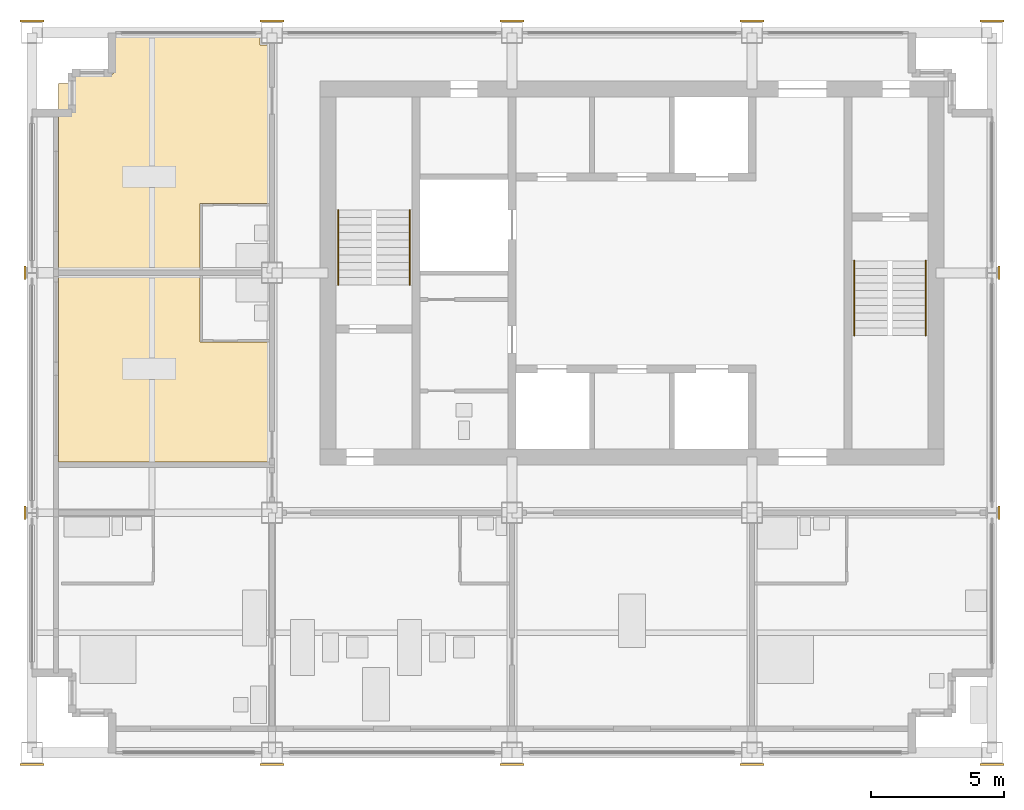
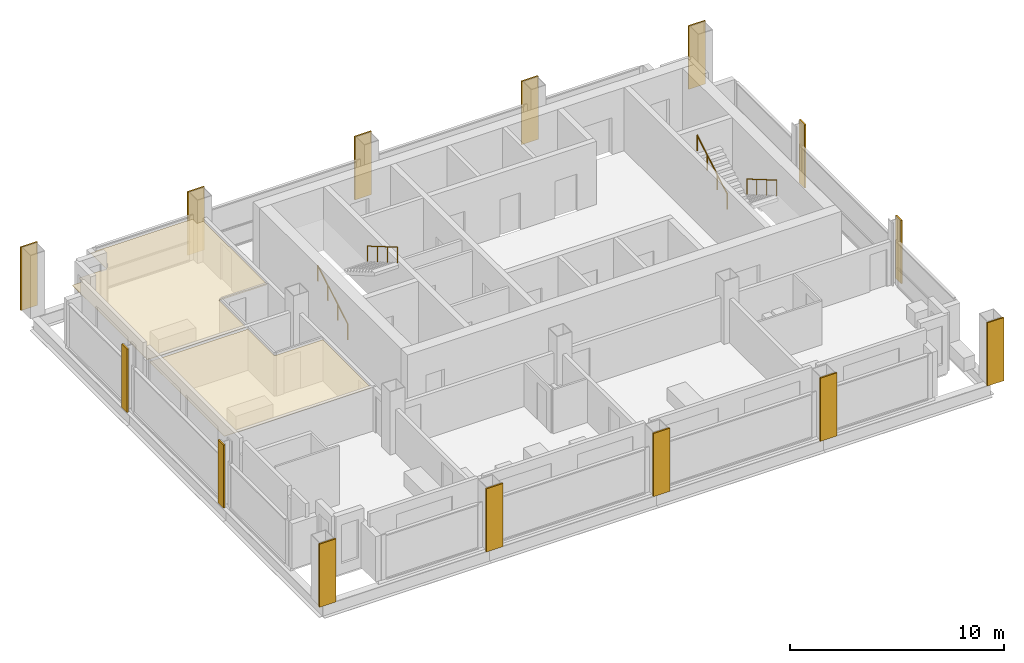
# One storey, part 9 of 11: 16 coverings, 4 railings.
"""IFC4 building model written with IfcOpenShell, lengths in metres."""

from ifc_helpers import new_model, si_unit, direction, frame, origin, origin_2d, place, context, subcontext, project, spatial, polyline, rectangle, circle, outline, extrude, material, layer, layer_set, type_object, element, save


model = new_model("IFC4")

# Units and contexts
model_context = context("Model", 3, precision=1e-05, world=origin(), true_north=direction((0.0, 1.0)))
body_context = subcontext(model_context, "Body", "Model", "MODEL_VIEW")
ifc_project = project(units=[si_unit("LENGTHUNIT", "METRE"), si_unit("AREAUNIT", "SQUARE_METRE"), si_unit("VOLUMEUNIT", "CUBIC_METRE"), si_unit("PLANEANGLEUNIT", "RADIAN"), si_unit("MASSUNIT", "GRAM", prefix="KILO")], contexts=[model_context])

# Site, building, storey
site_placement = place(None, origin())
site = spatial("IfcSite", under=ifc_project, at=site_placement, CompositionType="ELEMENT")
building_placement = place(site_placement, origin())
building = spatial("IfcBuilding", under=site, at=building_placement, Name="Loomwork Tower", CompositionType="ELEMENT")
storey_placement = place(building_placement, frame((0.0, 0.0, 266.199951171875)))
storey = spatial("IfcBuildingStorey", under=building, at=storey_placement, Name="L73", CompositionType="ELEMENT", Elevation=266.199951171875)

# Railings
ifc_material_1 = material(Name="Stainless steel handrail", Category="steel")
railing_type = type_object("IfcRailingType", Name="Handrail 900", PredefinedType="HANDRAIL", material=ifc_material_1)
railing_1_placement = place(storey_placement, frame((11.485107421875, 17.550048828125, 0.16357421875)))
element("IfcRailing", 1, at=railing_1_placement, inside=storey, type_object=railing_type, Name="Stair A handrail flight 1 L73", PredefinedType="HANDRAIL", context=body_context, shape_type="SweptSolid", body=[
    extrude(circle(Radius=0.02392578125, at=origin_2d()), frame((0.0, 0.0, 0.8759765625), z_axis=(0.0, 0.863360870873, 0.504586966384), x_axis=(-1.0, 0.0, 0.0)), (0.0, 0.0, 1.0), 3.2431640625),
    extrude(circle(Radius=0.02099609375, at=origin_2d()), origin(), (0.0, 0.0, 1.0), 0.851806640625),
    extrude(circle(Radius=0.02099609375, at=origin_2d()), frame((0.0, 0.933349609375, 0.54541015625)), (0.0, 0.0, 1.0), 0.851806640625),
    extrude(circle(Radius=0.02099609375, at=origin_2d()), frame((0.0, 1.86669921875, 1.091064453125)), (0.0, 0.0, 1.0), 0.851806640625),
    extrude(circle(Radius=0.02099609375, at=origin_2d()), frame((0.0, 2.800048828125, 1.636474609375)), (0.0, 0.0, 1.0), 0.851806640625),
])
for number, where, name in (
    (2, (14.1650390625, 20.35009765625, 1.963623046875), "Stair A handrail flight 2 L73"),
    (3, (33.514892578125, 18.449951171875, 0.16357421875), "Stair B handrail flight 1 L73"),
):
    element("IfcRailing", number, at=place(storey_placement, frame(where)), inside=storey, type_object=railing_type, Name=name, PredefinedType="HANDRAIL", context=body_context, shape_type="SweptSolid", body=[
        extrude(circle(Radius=0.02392578125, at=origin_2d()), frame((0.0, 0.0, 0.8759765625), z_axis=(0.0, -0.863360870873, 0.504586966384), x_axis=(1.0, 0.0, 0.0)), (0.0, 0.0, 1.0), 3.2431640625),
        extrude(circle(Radius=0.02099609375, at=origin_2d()), origin(), (0.0, 0.0, 1.0), 0.851806640625),
        extrude(circle(Radius=0.02099609375, at=origin_2d()), frame((0.0, -0.933349609375, 0.54541015625)), (0.0, 0.0, 1.0), 0.851806640625),
        extrude(circle(Radius=0.02099609375, at=origin_2d()), frame((0.0, -1.86669921875, 1.091064453125)), (0.0, 0.0, 1.0), 0.851806640625),
        extrude(circle(Radius=0.02099609375, at=origin_2d()), frame((0.0, -2.800048828125, 1.636474609375)), (0.0, 0.0, 1.0), 0.851806640625),
    ])
railing_2_placement = place(storey_placement, frame((30.8349609375, 15.64990234375, 1.963623046875)))
element("IfcRailing", 4, at=railing_2_placement, inside=storey, type_object=railing_type, Name="Stair B handrail flight 2 L73", PredefinedType="HANDRAIL", context=body_context, shape_type="SweptSolid", body=[
    extrude(circle(Radius=0.02392578125, at=origin_2d()), frame((0.0, 0.0, 0.8759765625), z_axis=(0.0, 0.863360870873, 0.504586966384), x_axis=(-1.0, 0.0, 0.0)), (0.0, 0.0, 1.0), 3.2431640625),
    extrude(circle(Radius=0.02099609375, at=origin_2d()), origin(), (0.0, 0.0, 1.0), 0.851806640625),
    extrude(circle(Radius=0.02099609375, at=origin_2d()), frame((0.0, 0.933349609375, 0.54541015625)), (0.0, 0.0, 1.0), 0.851806640625),
    extrude(circle(Radius=0.02099609375, at=origin_2d()), frame((0.0, 1.86669921875, 1.091064453125)), (0.0, 0.0, 1.0), 0.851806640625),
    extrude(circle(Radius=0.02099609375, at=origin_2d()), frame((0.0, 2.800048828125, 1.636474609375)), (0.0, 0.0, 1.0), 0.851806640625),
])

# Coverings
ifc_material_2 = material(Name="Limestone", Category="masonry")
ifc_layer_1 = layer(ifc_material_2, 0.080078125)
ifc_layer_set_1 = layer_set([ifc_layer_1], Name="Limestone pier facing 80")
covering_type_1 = type_object("IfcCoveringType", Name="Limestone pier facing 80", PredefinedType="CLADDING", material=ifc_layer_set_1)
covering_1_placement = place(storey_placement, frame((0.0, -0.43994140625, 0.0), z_axis=(0.0, 0.0, 1.0), x_axis=(1.0, 0.0, 0.0)))
element("IfcCovering", 5, at=covering_1_placement, inside=storey, type_object=covering_type_1, Name="Pier facing D/2 L73", PredefinedType="CLADDING", context=body_context, shape_type="SweptSolid", body=[
    extrude(rectangle(XDim=0.89990234375, YDim=0.080078125, at=origin_2d()), origin(), (0.0, 0.0, 1.0), 3.60009765625),
])
for number, where, z_axis, x_axis, name in (
    (6, (-0.26220703125, 9.0, 0.0), (0.0, 0.0, 1.0), (1.0, 0.0, 0.0), "Pier facing E/2 L73"),
    (7, (-0.26220703125, 18.0, 0.0), (0.0, 0.0, 1.0), (1.0, 0.0, 0.0), "Pier facing F/2 L73"),
):
    element("IfcCovering", number, at=place(storey_placement, frame(where, z_axis=z_axis, x_axis=x_axis)), inside=storey, type_object=covering_type_1, Name=name, PredefinedType="CLADDING", context=body_context, shape_type="SweptSolid", body=[
        extrude(rectangle(XDim=0.080078125, YDim=0.5166015625, at=origin_2d()), origin(), (0.0, 0.0, 1.0), 3.60009765625),
    ])
for number, where, z_axis, x_axis, name in (
    (8, (0.0, 27.43994140625, 0.0), (0.0, 0.0, 1.0), (1.0, 0.0, 0.0), "Pier facing G/2 L73"),
    (9, (9.0, -0.43994140625, 0.0), (0.0, 0.0, 1.0), (1.0, 0.0, 0.0), "Pier facing D/3 L73"),
    (10, (9.0, 27.43994140625, 0.0), (0.0, 0.0, 1.0), (1.0, 0.0, 0.0), "Pier facing G/3 L73"),
    (11, (18.0, -0.43994140625, 0.0), (0.0, 0.0, 1.0), (1.0, 0.0, 0.0), "Pier facing D/4 L73"),
    (12, (18.0, 27.43994140625, 0.0), (0.0, 0.0, 1.0), (1.0, 0.0, 0.0), "Pier facing G/4 L73"),
    (13, (27.0, -0.43994140625, 0.0), (0.0, 0.0, 1.0), (1.0, 0.0, 0.0), "Pier facing D/5 L73"),
    (14, (27.0, 27.43994140625, 0.0), (0.0, 0.0, 1.0), (1.0, 0.0, 0.0), "Pier facing G/5 L73"),
    (15, (36.0, -0.43994140625, 0.0), (0.0, 0.0, 1.0), (1.0, 0.0, 0.0), "Pier facing D/6 L73"),
):
    element("IfcCovering", number, at=place(storey_placement, frame(where, z_axis=z_axis, x_axis=x_axis)), inside=storey, type_object=covering_type_1, Name=name, PredefinedType="CLADDING", context=body_context, shape_type="SweptSolid", body=[
        extrude(rectangle(XDim=0.89990234375, YDim=0.080078125, at=origin_2d()), origin(), (0.0, 0.0, 1.0), 3.60009765625),
    ])
for number, where, z_axis, x_axis, name in (
    (16, (36.26220703125, 9.0, 0.0), (0.0, 0.0, 1.0), (1.0, 0.0, 0.0), "Pier facing E/6 L73"),
    (17, (36.26220703125, 18.0, 0.0), (0.0, 0.0, 1.0), (1.0, 0.0, 0.0), "Pier facing F/6 L73"),
):
    element("IfcCovering", number, at=place(storey_placement, frame(where, z_axis=z_axis, x_axis=x_axis)), inside=storey, type_object=covering_type_1, Name=name, PredefinedType="CLADDING", context=body_context, shape_type="SweptSolid", body=[
        extrude(rectangle(XDim=0.080078125, YDim=0.5166015625, at=origin_2d()), origin(), (0.0, 0.0, 1.0), 3.60009765625),
    ])
covering_2_placement = place(storey_placement, frame((36.0, 27.43994140625, 0.0), z_axis=(0.0, 0.0, 1.0), x_axis=(1.0, 0.0, 0.0)))
element("IfcCovering", 18, at=covering_2_placement, inside=storey, type_object=covering_type_1, Name="Pier facing G/6 L73", PredefinedType="CLADDING", context=body_context, shape_type="SweptSolid", body=[
    extrude(rectangle(XDim=0.89990234375, YDim=0.080078125, at=origin_2d()), origin(), (0.0, 0.0, 1.0), 3.60009765625),
])
ifc_material_3 = material(Name="Mineral fibre acoustic tile on suspension grid")
ifc_layer_2 = layer(ifc_material_3, 0.02490234375)
ifc_layer_set_2 = layer_set([ifc_layer_2], Name="Suspended acoustic ceiling")
covering_type_2 = type_object("IfcCoveringType", Name="Suspended acoustic ceiling", PredefinedType="CEILING", material=ifc_layer_set_2)
covering_3_placement = place(storey_placement, frame((0.0, 0.0, 2.324951171875)))
element("IfcCovering", 19, at=covering_3_placement, inside=storey, type_object=covering_type_2, Name="Ceiling Spa treatment room L73", PredefinedType="CEILING", context=body_context, shape_type="SweptSolid", body=[
    extrude(outline(polyline([(1.0, 10.89990234375), (1.0, 17.89990234375), (6.300048828125, 17.89990234375), (6.300048828125, 15.39990234375), (8.89990234375, 15.39990234375), (8.89990234375, 10.89990234375), (1.0, 10.89990234375)])), origin(), (0.0, 0.0, 1.0), 0.025146484375),
])
covering_4_placement = place(storey_placement, frame((0.0, 0.0, 2.324951171875)))
element("IfcCovering", 20, at=covering_4_placement, inside=storey, type_object=covering_type_2, Name="Ceiling Spa treatment room L73", PredefinedType="CEILING", context=body_context, shape_type="SweptSolid", body=[
    extrude(outline(polyline([(1.550048828125, 25.10009765625), (1.550048828125, 25.449951171875), (3.0, 25.449951171875), (3.0048828125, 25.4501953125), (3.009765625, 25.450927734375), (3.014404296875, 25.4521484375), (3.01904296875, 25.453857421875), (3.023681640625, 25.455810546875), (3.02783203125, 25.45849609375), (3.03173828125, 25.461181640625), (3.035400390625, 25.464599609375), (3.038818359375, 25.46826171875), (3.04150390625, 25.47216796875), (3.044189453125, 25.476318359375), (3.046142578125, 25.48095703125), (3.0478515625, 25.485595703125), (3.049072265625, 25.490234375), (3.0498046875, 25.4951171875), (3.050048828125, 25.5), (3.050048828125, 26.949951171875), (8.550048828125, 26.949951171875), (8.550048828125, 26.550048828125), (8.89990234375, 26.550048828125), (8.89990234375, 20.60009765625), (6.300048828125, 20.60009765625), (6.300048828125, 18.10009765625), (1.0, 18.10009765625), (1.0, 25.10009765625), (1.550048828125, 25.10009765625)])), origin(), (0.0, 0.0, 1.0), 0.025146484375),
])

save(model, "model.ifc")
